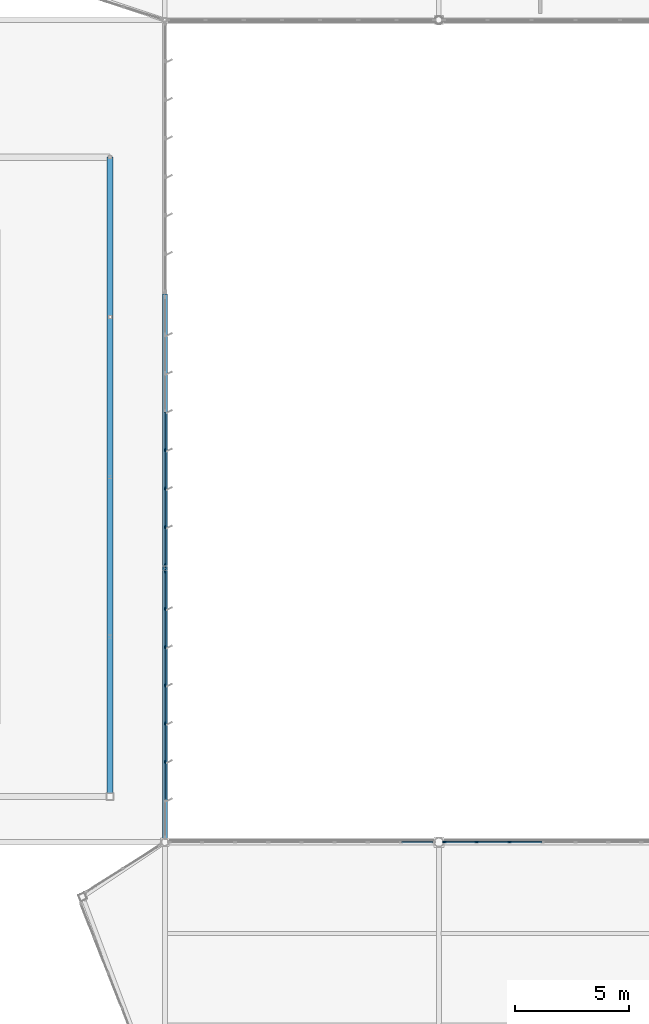
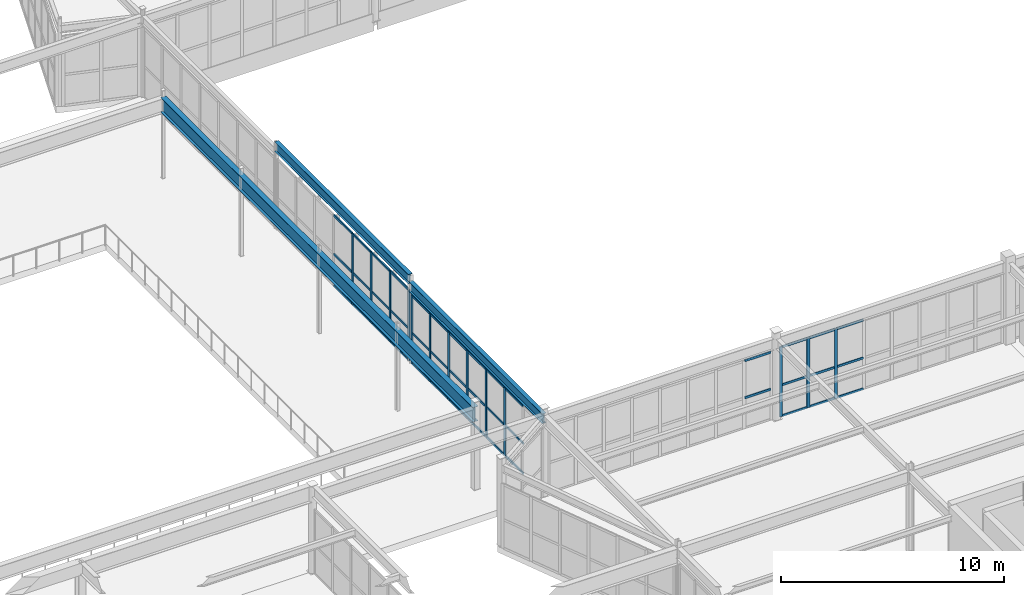
# One storey, part 94 of 186: 54 members, 3 beams, 4 elements without a shape of their own.
"""IFC4 building model written with IfcOpenShell, lengths in metres."""

from ifc_helpers import new_model, si_unit, direction, frame, origin, origin_2d, place, context, subcontext, project, spatial, rectangle, i_section, extrude, material, layer, layer_set, material_profile, profile_set, type_object, element, aggregate, save


model = new_model("IFC4")

# Units and contexts
model_context = context("Model", 3, precision=1e-05, world=origin(), true_north=direction((0.0, 1.0)))
body_context = subcontext(model_context, "Body", "Model", "MODEL_VIEW")
ifc_project = project(units=[si_unit("LENGTHUNIT", "METRE"), si_unit("AREAUNIT", "SQUARE_METRE"), si_unit("VOLUMEUNIT", "CUBIC_METRE"), si_unit("PLANEANGLEUNIT", "RADIAN"), si_unit("MASSUNIT", "GRAM", prefix="KILO")], contexts=[model_context])

# Site, building, storey
site_placement = place(None, origin())
site = spatial("IfcSite", under=ifc_project, at=site_placement, CompositionType="ELEMENT")
building_placement = place(site_placement, origin())
building = spatial("IfcBuilding", under=site, at=building_placement, Name="Tarnwether General Hospital", CompositionType="ELEMENT")
storey_placement = place(building_placement, frame((0.0, 0.0, 9.60009765625)))
storey = spatial("IfcBuildingStorey", under=building, at=storey_placement, Name="L02", CompositionType="ELEMENT", Elevation=9.60009765625)

# Beams
ifc_material_1 = material(Name="Steel Grade 350 (350 MPa)", Category="steel")
ifc_material_profile_1 = material_profile(ifc_material_1, i_section(OverallWidth=0.208984375, OverallDepth=0.532958984375, WebThickness=0.01025390625, FlangeThickness=0.015625, at=origin_2d()), Name="530UB92.4")
ifc_profile_set_1 = profile_set([ifc_material_profile_1], Name="Steel Grade 350 (350 MPa)")
beam_type_1 = type_object("IfcBeamType", Name="BM-G06", PredefinedType="BEAM", material=ifc_profile_set_1)
beam_1_placement = place(storey_placement, frame((144.0, 45.60009765625, 4.178466796875), z_axis=(0.0, 1.0, 0.0), x_axis=(-1.0, 0.0, 0.0)))
element("IfcBeam", 1, at=beam_1_placement, inside=storey, type_object=beam_type_1, Name="Primary Girder BMG-L02-14400_4560-14400_5760-1576", PredefinedType="BEAM", context=body_context, shape_type="SweptSolid", body=[
    extrude(i_section(OverallWidth=0.208984375, OverallDepth=0.532958984375, WebThickness=0.01025390625, FlangeThickness=0.015625, at=origin_2d()), origin(), (0.0, 0.0, 1.0), 12.0),
])
ifc_material_2 = material(Name="Steel Grade 350 (350 MPa)", Category="steel")
ifc_material_profile_2 = material_profile(ifc_material_2, i_section(OverallWidth=0.208984375, OverallDepth=0.528076171875, WebThickness=0.009521484375, FlangeThickness=0.01318359375, at=origin_2d()), Name="530UB82.0")
ifc_profile_set_2 = profile_set([ifc_material_profile_2], Name="Steel Grade 350 (350 MPa)")
beam_type_2 = type_object("IfcBeamType", Name="BM-G07", PredefinedType="BEAM", material=ifc_profile_set_2)
beam_2_placement = place(storey_placement, frame((144.0, 57.60009765625, 4.535888671875), z_axis=(0.0, 1.0, 0.0), x_axis=(-1.0, 0.0, 0.0)))
element("IfcBeam", 2, at=beam_2_placement, inside=storey, type_object=beam_type_2, Name="Primary Girder BMG-L02-14400_5760-14400_6960-1577", PredefinedType="BEAM", context=body_context, shape_type="SweptSolid", body=[
    extrude(i_section(OverallWidth=0.208984375, OverallDepth=0.528076171875, WebThickness=0.009521484375, FlangeThickness=0.01318359375, at=origin_2d()), origin(), (0.0, 0.0, 1.0), 12.0),
])
ifc_material_3 = material(Name="Steel Grade 350 (350 MPa)", Category="steel")
ifc_material_profile_3 = material_profile(ifc_material_3, i_section(OverallWidth=0.27490234375, OverallDepth=0.800048828125, WebThickness=0.010009765625, FlangeThickness=0.02001953125, at=origin_2d()), Name="800WB146")
ifc_profile_set_3 = profile_set([ifc_material_profile_3], Name="Steel Grade 350 (350 MPa)")
beam_type_3 = type_object("IfcBeamType", Name="BM-RB1", PredefinedType="BEAM", material=ifc_profile_set_3)
beam_3_placement = place(storey_placement, frame((141.60009765625, 47.60009765625, 4.02978515625), z_axis=(0.0, 1.0, 0.0), x_axis=(-1.0, 0.0, 0.0)))
element("IfcBeam", 3, at=beam_3_placement, inside=storey, type_object=beam_type_3, Name="Gridshell Ring Beam 2", PredefinedType="BEAM", context=body_context, shape_type="SweptSolid", body=[
    extrude(i_section(OverallWidth=0.27490234375, OverallDepth=0.800048828125, WebThickness=0.010009765625, FlangeThickness=0.02001953125, at=origin_2d()), origin(), (0.0, 0.0, 1.0), 28.0),
])

# Curtain wall, members
ifc_material_4 = material(Name="Anodised aluminium", Category="aluminium")
ifc_layer_1 = layer(ifc_material_4, 0.179931640625)
ifc_layer_set_1 = layer_set([ifc_layer_1], Name="Anodised aluminium")
curtain_wall_type_1 = type_object("IfcCurtainWallType", Name="CW-06", PredefinedType="NOTDEFINED", material=ifc_layer_set_1)
curtain_wall_1_placement = place(storey_placement, origin())
curtain_wall_1 = element("IfcCurtainWall", 4, at=curtain_wall_1_placement, inside=storey, type_object=curtain_wall_type_1, Name="Curtain Wall CWG-L02-1440_695-0417", PredefinedType="NOTDEFINED")
ifc_material_5 = material(Name="Anodised aluminium", Category="aluminium")
ifc_material_profile_4 = material_profile(ifc_material_5, rectangle(XDim=0.06005859375, YDim=0.159912109375, at=origin_2d()), Name="ALU-MUL-60x160")
ifc_profile_set_4 = profile_set([ifc_material_profile_4], Name="Anodised aluminium")
member_type_1 = type_object("IfcMemberType", Name="CW-ML1", PredefinedType="MULLION", material=ifc_profile_set_4)
member_1_placement = place(storey_placement, frame((144.0, 62.767578125, 0.0), z_axis=(0.0, 0.0, 1.0), x_axis=(1.0, 0.0, 0.0)))
member_1 = element("IfcMember", 5, at=member_1_placement, type_object=member_type_1, Name="CW-06 mullion 5", PredefinedType="MULLION", context=body_context, shape_type="SweptSolid", body=[
    extrude(rectangle(XDim=0.06005859375, YDim=0.159912109375, at=origin_2d()), origin(), (0.0, 0.0, 1.0), 3.89697265625),
])
member_2_placement = place(storey_placement, frame((144.0, 61.081787109375, 0.0), z_axis=(0.0, 0.0, 1.0), x_axis=(1.0, 0.0, 0.0)))
member_2 = element("IfcMember", 6, at=member_2_placement, type_object=member_type_1, Name="CW-06 mullion 6", PredefinedType="MULLION", context=body_context, shape_type="SweptSolid", body=[
    extrude(rectangle(XDim=0.06005859375, YDim=0.159912109375, at=origin_2d()), origin(), (0.0, 0.0, 1.0), 3.89697265625),
])
member_3_placement = place(storey_placement, frame((144.0, 59.395751953125, 0.0), z_axis=(0.0, 0.0, 1.0), x_axis=(1.0, 0.0, 0.0)))
member_3 = element("IfcMember", 7, at=member_3_placement, type_object=member_type_1, Name="CW-06 mullion 7", PredefinedType="MULLION", context=body_context, shape_type="SweptSolid", body=[
    extrude(rectangle(XDim=0.06005859375, YDim=0.159912109375, at=origin_2d()), origin(), (0.0, 0.0, 1.0), 3.89697265625),
])
member_4_placement = place(storey_placement, frame((144.0, 57.739990234375, 0.0), z_axis=(0.0, 0.0, 1.0), x_axis=(1.0, 0.0, 0.0)))
member_4 = element("IfcMember", 8, at=member_4_placement, type_object=member_type_1, Name="CW-06 mullion 8", PredefinedType="MULLION", context=body_context, shape_type="SweptSolid", body=[
    extrude(rectangle(XDim=0.06005859375, YDim=0.159912109375, at=origin_2d()), origin(), (0.0, 0.0, 1.0), 3.89697265625),
])

curtain_wall_2_placement = place(storey_placement, origin())
curtain_wall_2 = element("IfcCurtainWall", 9, at=curtain_wall_2_placement, inside=storey, type_object=curtain_wall_type_1, Name="Curtain Wall CWG-L02-1440_575-0418", PredefinedType="NOTDEFINED")
member_5_placement = place(storey_placement, frame((144.0, 57.4599609375, 0.0), z_axis=(0.0, 0.0, 1.0), x_axis=(1.0, 0.0, 0.0)))
member_5 = element("IfcMember", 10, at=member_5_placement, type_object=member_type_1, Name="CW-06 mullion 1", PredefinedType="MULLION", context=body_context, shape_type="SweptSolid", body=[
    extrude(rectangle(XDim=0.06005859375, YDim=0.159912109375, at=origin_2d()), origin(), (0.0, 0.0, 1.0), 3.73779296875),
])
member_6_placement = place(storey_placement, frame((144.0, 55.815673828125, 0.0), z_axis=(0.0, 0.0, 1.0), x_axis=(1.0, 0.0, 0.0)))
member_6 = element("IfcMember", 11, at=member_6_placement, type_object=member_type_1, Name="CW-06 mullion 2", PredefinedType="MULLION", context=body_context, shape_type="SweptSolid", body=[
    extrude(rectangle(XDim=0.06005859375, YDim=0.159912109375, at=origin_2d()), origin(), (0.0, 0.0, 1.0), 3.73779296875),
])
member_7_placement = place(storey_placement, frame((144.0, 54.141357421875, 0.0), z_axis=(0.0, 0.0, 1.0), x_axis=(1.0, 0.0, 0.0)))
member_7 = element("IfcMember", 12, at=member_7_placement, type_object=member_type_1, Name="CW-06 mullion 3", PredefinedType="MULLION", context=body_context, shape_type="SweptSolid", body=[
    extrude(rectangle(XDim=0.06005859375, YDim=0.159912109375, at=origin_2d()), origin(), (0.0, 0.0, 1.0), 3.73779296875),
])
member_8_placement = place(storey_placement, frame((144.0, 52.467041015625, 0.0), z_axis=(0.0, 0.0, 1.0), x_axis=(1.0, 0.0, 0.0)))
member_8 = element("IfcMember", 13, at=member_8_placement, type_object=member_type_1, Name="CW-06 mullion 4", PredefinedType="MULLION", context=body_context, shape_type="SweptSolid", body=[
    extrude(rectangle(XDim=0.06005859375, YDim=0.159912109375, at=origin_2d()), origin(), (0.0, 0.0, 1.0), 3.73779296875),
])
member_9_placement = place(storey_placement, frame((144.0, 50.79296875, 0.0), z_axis=(0.0, 0.0, 1.0), x_axis=(1.0, 0.0, 0.0)))
member_9 = element("IfcMember", 14, at=member_9_placement, type_object=member_type_1, Name="CW-06 mullion 5", PredefinedType="MULLION", context=body_context, shape_type="SweptSolid", body=[
    extrude(rectangle(XDim=0.06005859375, YDim=0.159912109375, at=origin_2d()), origin(), (0.0, 0.0, 1.0), 3.73779296875),
])
member_10_placement = place(storey_placement, frame((144.0, 49.11865234375, 0.0), z_axis=(0.0, 0.0, 1.0), x_axis=(1.0, 0.0, 0.0)))
member_10 = element("IfcMember", 15, at=member_10_placement, type_object=member_type_1, Name="CW-06 mullion 6", PredefinedType="MULLION", context=body_context, shape_type="SweptSolid", body=[
    extrude(rectangle(XDim=0.06005859375, YDim=0.159912109375, at=origin_2d()), origin(), (0.0, 0.0, 1.0), 3.73779296875),
])

ifc_material_6 = material(Name="Anodised aluminium", Category="aluminium")
ifc_layer_2 = layer(ifc_material_6, 0.159912109375)
ifc_layer_set_2 = layer_set([ifc_layer_2], Name="Anodised aluminium")
curtain_wall_type_2 = type_object("IfcCurtainWallType", Name="CW-18", PredefinedType="NOTDEFINED", material=ifc_layer_set_2)
curtain_wall_3_placement = place(storey_placement, origin())
curtain_wall_3 = element("IfcCurtainWall", 16, at=curtain_wall_3_placement, inside=storey, type_object=curtain_wall_type_2, Name="Curtain Wall CWG-L02-1562_456-0453", PredefinedType="NOTDEFINED")
member_11_placement = place(storey_placement, frame((156.240966796875, 45.60009765625, 0.0), z_axis=(0.0, 0.0, 1.0), x_axis=(0.0, 1.0, 0.0)))
member_11 = element("IfcMember", 17, at=member_11_placement, type_object=member_type_1, Name="CW-18 mullion 1", PredefinedType="MULLION", context=body_context, shape_type="SweptSolid", body=[
    extrude(rectangle(XDim=0.06005859375, YDim=0.159912109375, at=origin_2d()), origin(), (0.0, 0.0, 1.0), 3.81787109375),
])
member_12_placement = place(storey_placement, frame((157.65234375, 45.60009765625, 0.0), z_axis=(0.0, 0.0, 1.0), x_axis=(0.0, 1.0, 0.0)))
member_12 = element("IfcMember", 18, at=member_12_placement, type_object=member_type_1, Name="CW-18 mullion 2", PredefinedType="MULLION", context=body_context, shape_type="SweptSolid", body=[
    extrude(rectangle(XDim=0.06005859375, YDim=0.159912109375, at=origin_2d()), origin(), (0.0, 0.0, 1.0), 3.81787109375),
])
member_13_placement = place(storey_placement, frame((159.09375, 45.60009765625, 0.0), z_axis=(0.0, 0.0, 1.0), x_axis=(0.0, 1.0, 0.0)))
member_13 = element("IfcMember", 19, at=member_13_placement, type_object=member_type_1, Name="CW-18 mullion 3", PredefinedType="MULLION", context=body_context, shape_type="SweptSolid", body=[
    extrude(rectangle(XDim=0.06005859375, YDim=0.159912109375, at=origin_2d()), origin(), (0.0, 0.0, 1.0), 3.81787109375),
])

# Member
ifc_material_7 = material(Name="Anodised aluminium", Category="aluminium")
ifc_material_profile_5 = material_profile(ifc_material_7, rectangle(XDim=0.06005859375, YDim=0.1201171875, at=origin_2d()), Name="ALU-TRN-60x120")
ifc_profile_set_5 = profile_set([ifc_material_profile_5], Name="Anodised aluminium")
member_type_2 = type_object("IfcMemberType", Name="CW-TR1", PredefinedType="USERDEFINED", material=ifc_profile_set_5)
member_14_placement = place(storey_placement, frame((144.0, 64.42333984375, 0.02978515625), z_axis=(0.0, -1.0, 0.0), x_axis=(1.0, 0.0, 0.0)))
member_14 = element("IfcMember", 20, at=member_14_placement, type_object=member_type_2, Name="CW-06 transom 4.1", ObjectType="TRANSOM", PredefinedType="USERDEFINED", context=body_context, shape_type="SweptSolid", body=[
    extrude(rectangle(XDim=0.06005859375, YDim=0.1201171875, at=origin_2d()), origin(), (0.0, 0.0, 1.0), 1.625732421875),
])

member_15_placement = place(storey_placement, frame((144.0, 64.42333984375, 1.753662109375), z_axis=(0.0, -1.0, 0.0), x_axis=(1.0, 0.0, 0.0)))
member_15 = element("IfcMember", 21, at=member_15_placement, type_object=member_type_2, Name="CW-06 transom 4.2", ObjectType="TRANSOM", PredefinedType="USERDEFINED", context=body_context, shape_type="SweptSolid", body=[
    extrude(rectangle(XDim=0.06005859375, YDim=0.1201171875, at=origin_2d()), origin(), (0.0, 0.0, 1.0), 1.625732421875),
])

member_16_placement = place(storey_placement, frame((144.0, 64.42333984375, 3.866943359375), z_axis=(0.0, -1.0, 0.0), x_axis=(1.0, 0.0, 0.0)))
member_16 = element("IfcMember", 22, at=member_16_placement, type_object=member_type_2, Name="CW-06 transom 4.3", ObjectType="TRANSOM", PredefinedType="USERDEFINED", context=body_context, shape_type="SweptSolid", body=[
    extrude(rectangle(XDim=0.06005859375, YDim=0.1201171875, at=origin_2d()), origin(), (0.0, 0.0, 1.0), 1.625732421875),
])

member_17_placement = place(storey_placement, frame((144.0, 62.737548828125, 0.02978515625), z_axis=(0.0, -1.0, 0.0), x_axis=(1.0, 0.0, 0.0)))
member_17 = element("IfcMember", 23, at=member_17_placement, type_object=member_type_2, Name="CW-06 transom 5.1", ObjectType="TRANSOM", PredefinedType="USERDEFINED", context=body_context, shape_type="SweptSolid", body=[
    extrude(rectangle(XDim=0.06005859375, YDim=0.1201171875, at=origin_2d()), origin(), (0.0, 0.0, 1.0), 1.625732421875),
])

member_18_placement = place(storey_placement, frame((144.0, 62.737548828125, 1.753662109375), z_axis=(0.0, -1.0, 0.0), x_axis=(1.0, 0.0, 0.0)))
member_18 = element("IfcMember", 24, at=member_18_placement, type_object=member_type_2, Name="CW-06 transom 5.2", ObjectType="TRANSOM", PredefinedType="USERDEFINED", context=body_context, shape_type="SweptSolid", body=[
    extrude(rectangle(XDim=0.06005859375, YDim=0.1201171875, at=origin_2d()), origin(), (0.0, 0.0, 1.0), 1.625732421875),
])

member_19_placement = place(storey_placement, frame((144.0, 62.737548828125, 3.866943359375), z_axis=(0.0, -1.0, 0.0), x_axis=(1.0, 0.0, 0.0)))
member_19 = element("IfcMember", 25, at=member_19_placement, type_object=member_type_2, Name="CW-06 transom 5.3", ObjectType="TRANSOM", PredefinedType="USERDEFINED", context=body_context, shape_type="SweptSolid", body=[
    extrude(rectangle(XDim=0.06005859375, YDim=0.1201171875, at=origin_2d()), origin(), (0.0, 0.0, 1.0), 1.625732421875),
])

member_20_placement = place(storey_placement, frame((144.0, 61.0517578125, 0.02978515625), z_axis=(0.0, -1.0, 0.0), x_axis=(1.0, 0.0, 0.0)))
member_20 = element("IfcMember", 26, at=member_20_placement, type_object=member_type_2, Name="CW-06 transom 6.1", ObjectType="TRANSOM", PredefinedType="USERDEFINED", context=body_context, shape_type="SweptSolid", body=[
    extrude(rectangle(XDim=0.06005859375, YDim=0.1201171875, at=origin_2d()), origin(), (0.0, 0.0, 1.0), 1.6259765625),
])

member_21_placement = place(storey_placement, frame((144.0, 61.0517578125, 1.753662109375), z_axis=(0.0, -1.0, 0.0), x_axis=(1.0, 0.0, 0.0)))
member_21 = element("IfcMember", 27, at=member_21_placement, type_object=member_type_2, Name="CW-06 transom 6.2", ObjectType="TRANSOM", PredefinedType="USERDEFINED", context=body_context, shape_type="SweptSolid", body=[
    extrude(rectangle(XDim=0.06005859375, YDim=0.1201171875, at=origin_2d()), origin(), (0.0, 0.0, 1.0), 1.6259765625),
])

member_22_placement = place(storey_placement, frame((144.0, 61.0517578125, 3.866943359375), z_axis=(0.0, -1.0, 0.0), x_axis=(1.0, 0.0, 0.0)))
member_22 = element("IfcMember", 28, at=member_22_placement, type_object=member_type_2, Name="CW-06 transom 6.3", ObjectType="TRANSOM", PredefinedType="USERDEFINED", context=body_context, shape_type="SweptSolid", body=[
    extrude(rectangle(XDim=0.06005859375, YDim=0.1201171875, at=origin_2d()), origin(), (0.0, 0.0, 1.0), 1.6259765625),
])

member_23_placement = place(storey_placement, frame((144.0, 59.365966796875, 0.02978515625), z_axis=(0.0, -1.0, 0.0), x_axis=(1.0, 0.0, 0.0)))
member_23 = element("IfcMember", 29, at=member_23_placement, type_object=member_type_2, Name="CW-06 transom 7.1", ObjectType="TRANSOM", PredefinedType="USERDEFINED", context=body_context, shape_type="SweptSolid", body=[
    extrude(rectangle(XDim=0.06005859375, YDim=0.1201171875, at=origin_2d()), origin(), (0.0, 0.0, 1.0), 1.595947265625),
])

member_24_placement = place(storey_placement, frame((144.0, 59.365966796875, 1.753662109375), z_axis=(0.0, -1.0, 0.0), x_axis=(1.0, 0.0, 0.0)))
member_24 = element("IfcMember", 30, at=member_24_placement, type_object=member_type_2, Name="CW-06 transom 7.2", ObjectType="TRANSOM", PredefinedType="USERDEFINED", context=body_context, shape_type="SweptSolid", body=[
    extrude(rectangle(XDim=0.06005859375, YDim=0.1201171875, at=origin_2d()), origin(), (0.0, 0.0, 1.0), 1.595947265625),
])

member_25_placement = place(storey_placement, frame((144.0, 59.365966796875, 3.866943359375), z_axis=(0.0, -1.0, 0.0), x_axis=(1.0, 0.0, 0.0)))
member_25 = element("IfcMember", 31, at=member_25_placement, type_object=member_type_2, Name="CW-06 transom 7.3", ObjectType="TRANSOM", PredefinedType="USERDEFINED", context=body_context, shape_type="SweptSolid", body=[
    extrude(rectangle(XDim=0.06005859375, YDim=0.1201171875, at=origin_2d()), origin(), (0.0, 0.0, 1.0), 1.595947265625),
])

aggregate(curtain_wall_1, [member_1, member_2, member_3, member_4, member_14, member_15, member_16, member_17, member_18, member_19, member_20, member_21, member_22, member_23, member_24, member_25])

member_26_placement = place(storey_placement, frame((144.0, 57.429931640625, 0.02978515625), z_axis=(0.0, -1.0, 0.0), x_axis=(1.0, 0.0, 0.0)))
member_26 = element("IfcMember", 32, at=member_26_placement, type_object=member_type_2, Name="CW-06 transom 1.1", ObjectType="TRANSOM", PredefinedType="USERDEFINED", context=body_context, shape_type="SweptSolid", body=[
    extrude(rectangle(XDim=0.06005859375, YDim=0.1201171875, at=origin_2d()), origin(), (0.0, 0.0, 1.0), 1.584228515625),
])

member_27_placement = place(storey_placement, frame((144.0, 57.429931640625, 1.681884765625), z_axis=(0.0, -1.0, 0.0), x_axis=(1.0, 0.0, 0.0)))
member_27 = element("IfcMember", 33, at=member_27_placement, type_object=member_type_2, Name="CW-06 transom 1.2", ObjectType="TRANSOM", PredefinedType="USERDEFINED", context=body_context, shape_type="SweptSolid", body=[
    extrude(rectangle(XDim=0.06005859375, YDim=0.1201171875, at=origin_2d()), origin(), (0.0, 0.0, 1.0), 1.584228515625),
])

member_28_placement = place(storey_placement, frame((144.0, 57.429931640625, 3.7080078125), z_axis=(0.0, -1.0, 0.0), x_axis=(1.0, 0.0, 0.0)))
member_28 = element("IfcMember", 34, at=member_28_placement, type_object=member_type_2, Name="CW-06 transom 1.3", ObjectType="TRANSOM", PredefinedType="USERDEFINED", context=body_context, shape_type="SweptSolid", body=[
    extrude(rectangle(XDim=0.06005859375, YDim=0.1201171875, at=origin_2d()), origin(), (0.0, 0.0, 1.0), 1.584228515625),
])

member_29_placement = place(storey_placement, frame((144.0, 55.78564453125, 0.02978515625), z_axis=(0.0, -1.0, 0.0), x_axis=(1.0, 0.0, 0.0)))
member_29 = element("IfcMember", 35, at=member_29_placement, type_object=member_type_2, Name="CW-06 transom 2.1", ObjectType="TRANSOM", PredefinedType="USERDEFINED", context=body_context, shape_type="SweptSolid", body=[
    extrude(rectangle(XDim=0.06005859375, YDim=0.1201171875, at=origin_2d()), origin(), (0.0, 0.0, 1.0), 1.6142578125),
])

member_30_placement = place(storey_placement, frame((144.0, 55.78564453125, 1.681884765625), z_axis=(0.0, -1.0, 0.0), x_axis=(1.0, 0.0, 0.0)))
member_30 = element("IfcMember", 36, at=member_30_placement, type_object=member_type_2, Name="CW-06 transom 2.2", ObjectType="TRANSOM", PredefinedType="USERDEFINED", context=body_context, shape_type="SweptSolid", body=[
    extrude(rectangle(XDim=0.06005859375, YDim=0.1201171875, at=origin_2d()), origin(), (0.0, 0.0, 1.0), 1.6142578125),
])

member_31_placement = place(storey_placement, frame((144.0, 55.78564453125, 3.7080078125), z_axis=(0.0, -1.0, 0.0), x_axis=(1.0, 0.0, 0.0)))
member_31 = element("IfcMember", 37, at=member_31_placement, type_object=member_type_2, Name="CW-06 transom 2.3", ObjectType="TRANSOM", PredefinedType="USERDEFINED", context=body_context, shape_type="SweptSolid", body=[
    extrude(rectangle(XDim=0.06005859375, YDim=0.1201171875, at=origin_2d()), origin(), (0.0, 0.0, 1.0), 1.6142578125),
])

member_32_placement = place(storey_placement, frame((144.0, 54.111328125, 0.02978515625), z_axis=(0.0, -1.0, 0.0), x_axis=(1.0, 0.0, 0.0)))
member_32 = element("IfcMember", 38, at=member_32_placement, type_object=member_type_2, Name="CW-06 transom 3.1", ObjectType="TRANSOM", PredefinedType="USERDEFINED", context=body_context, shape_type="SweptSolid", body=[
    extrude(rectangle(XDim=0.06005859375, YDim=0.1201171875, at=origin_2d()), origin(), (0.0, 0.0, 1.0), 1.6142578125),
])

member_33_placement = place(storey_placement, frame((144.0, 54.111328125, 1.681884765625), z_axis=(0.0, -1.0, 0.0), x_axis=(1.0, 0.0, 0.0)))
member_33 = element("IfcMember", 39, at=member_33_placement, type_object=member_type_2, Name="CW-06 transom 3.2", ObjectType="TRANSOM", PredefinedType="USERDEFINED", context=body_context, shape_type="SweptSolid", body=[
    extrude(rectangle(XDim=0.06005859375, YDim=0.1201171875, at=origin_2d()), origin(), (0.0, 0.0, 1.0), 1.6142578125),
])

member_34_placement = place(storey_placement, frame((144.0, 54.111328125, 3.7080078125), z_axis=(0.0, -1.0, 0.0), x_axis=(1.0, 0.0, 0.0)))
member_34 = element("IfcMember", 40, at=member_34_placement, type_object=member_type_2, Name="CW-06 transom 3.3", ObjectType="TRANSOM", PredefinedType="USERDEFINED", context=body_context, shape_type="SweptSolid", body=[
    extrude(rectangle(XDim=0.06005859375, YDim=0.1201171875, at=origin_2d()), origin(), (0.0, 0.0, 1.0), 1.6142578125),
])

member_35_placement = place(storey_placement, frame((144.0, 52.437255859375, 0.02978515625), z_axis=(0.0, -1.0, 0.0), x_axis=(1.0, 0.0, 0.0)))
member_35 = element("IfcMember", 41, at=member_35_placement, type_object=member_type_2, Name="CW-06 transom 4.1", ObjectType="TRANSOM", PredefinedType="USERDEFINED", context=body_context, shape_type="SweptSolid", body=[
    extrude(rectangle(XDim=0.06005859375, YDim=0.1201171875, at=origin_2d()), origin(), (0.0, 0.0, 1.0), 1.614501953125),
])

member_36_placement = place(storey_placement, frame((144.0, 52.437255859375, 1.681884765625), z_axis=(0.0, -1.0, 0.0), x_axis=(1.0, 0.0, 0.0)))
member_36 = element("IfcMember", 42, at=member_36_placement, type_object=member_type_2, Name="CW-06 transom 4.2", ObjectType="TRANSOM", PredefinedType="USERDEFINED", context=body_context, shape_type="SweptSolid", body=[
    extrude(rectangle(XDim=0.06005859375, YDim=0.1201171875, at=origin_2d()), origin(), (0.0, 0.0, 1.0), 1.614501953125),
])

member_37_placement = place(storey_placement, frame((144.0, 52.437255859375, 3.7080078125), z_axis=(0.0, -1.0, 0.0), x_axis=(1.0, 0.0, 0.0)))
member_37 = element("IfcMember", 43, at=member_37_placement, type_object=member_type_2, Name="CW-06 transom 4.3", ObjectType="TRANSOM", PredefinedType="USERDEFINED", context=body_context, shape_type="SweptSolid", body=[
    extrude(rectangle(XDim=0.06005859375, YDim=0.1201171875, at=origin_2d()), origin(), (0.0, 0.0, 1.0), 1.614501953125),
])

member_38_placement = place(storey_placement, frame((144.0, 50.762939453125, 0.02978515625), z_axis=(0.0, -1.0, 0.0), x_axis=(1.0, 0.0, 0.0)))
member_38 = element("IfcMember", 44, at=member_38_placement, type_object=member_type_2, Name="CW-06 transom 5.1", ObjectType="TRANSOM", PredefinedType="USERDEFINED", context=body_context, shape_type="SweptSolid", body=[
    extrude(rectangle(XDim=0.06005859375, YDim=0.1201171875, at=origin_2d()), origin(), (0.0, 0.0, 1.0), 1.6142578125),
])

member_39_placement = place(storey_placement, frame((144.0, 50.762939453125, 1.681884765625), z_axis=(0.0, -1.0, 0.0), x_axis=(1.0, 0.0, 0.0)))
member_39 = element("IfcMember", 45, at=member_39_placement, type_object=member_type_2, Name="CW-06 transom 5.2", ObjectType="TRANSOM", PredefinedType="USERDEFINED", context=body_context, shape_type="SweptSolid", body=[
    extrude(rectangle(XDim=0.06005859375, YDim=0.1201171875, at=origin_2d()), origin(), (0.0, 0.0, 1.0), 1.6142578125),
])

member_40_placement = place(storey_placement, frame((144.0, 50.762939453125, 3.7080078125), z_axis=(0.0, -1.0, 0.0), x_axis=(1.0, 0.0, 0.0)))
member_40 = element("IfcMember", 46, at=member_40_placement, type_object=member_type_2, Name="CW-06 transom 5.3", ObjectType="TRANSOM", PredefinedType="USERDEFINED", context=body_context, shape_type="SweptSolid", body=[
    extrude(rectangle(XDim=0.06005859375, YDim=0.1201171875, at=origin_2d()), origin(), (0.0, 0.0, 1.0), 1.6142578125),
])

member_41_placement = place(storey_placement, frame((144.0, 49.088623046875, 0.02978515625), z_axis=(0.0, -1.0, 0.0), x_axis=(1.0, 0.0, 0.0)))
member_41 = element("IfcMember", 47, at=member_41_placement, type_object=member_type_2, Name="CW-06 transom 6.1", ObjectType="TRANSOM", PredefinedType="USERDEFINED", context=body_context, shape_type="SweptSolid", body=[
    extrude(rectangle(XDim=0.06005859375, YDim=0.1201171875, at=origin_2d()), origin(), (0.0, 0.0, 1.0), 1.6142578125),
])

member_42_placement = place(storey_placement, frame((144.0, 49.088623046875, 1.681884765625), z_axis=(0.0, -1.0, 0.0), x_axis=(1.0, 0.0, 0.0)))
member_42 = element("IfcMember", 48, at=member_42_placement, type_object=member_type_2, Name="CW-06 transom 6.2", ObjectType="TRANSOM", PredefinedType="USERDEFINED", context=body_context, shape_type="SweptSolid", body=[
    extrude(rectangle(XDim=0.06005859375, YDim=0.1201171875, at=origin_2d()), origin(), (0.0, 0.0, 1.0), 1.6142578125),
])

member_43_placement = place(storey_placement, frame((144.0, 49.088623046875, 3.7080078125), z_axis=(0.0, -1.0, 0.0), x_axis=(1.0, 0.0, 0.0)))
member_43 = element("IfcMember", 49, at=member_43_placement, type_object=member_type_2, Name="CW-06 transom 6.3", ObjectType="TRANSOM", PredefinedType="USERDEFINED", context=body_context, shape_type="SweptSolid", body=[
    extrude(rectangle(XDim=0.06005859375, YDim=0.1201171875, at=origin_2d()), origin(), (0.0, 0.0, 1.0), 1.6142578125),
])

aggregate(curtain_wall_2, [member_5, member_6, member_7, member_8, member_9, member_10, member_26, member_27, member_28, member_29, member_30, member_31, member_32, member_33, member_34, member_35, member_36, member_37, member_38, member_39, member_40, member_41, member_42, member_43])

# Curtain wall, members
curtain_wall_4_placement = place(storey_placement, origin())
curtain_wall_4 = element("IfcCurtainWall", 50, at=curtain_wall_4_placement, inside=storey, type_object=curtain_wall_type_2, Name="Curtain Wall CWG-L02-1442_456-0452", PredefinedType="NOTDEFINED")
member_44_placement = place(storey_placement, frame((154.36669921875, 45.60009765625, 1.681884765625), z_axis=(1.0, 0.0, 0.0), x_axis=(0.0, 1.0, 0.0)))
member_44 = element("IfcMember", 51, at=member_44_placement, type_object=member_type_2, Name="CW-18 transom 8.2", ObjectType="TRANSOM", PredefinedType="USERDEFINED", context=body_context, shape_type="SweptSolid", body=[
    extrude(rectangle(XDim=0.06005859375, YDim=0.1201171875, at=origin_2d()), origin(), (0.0, 0.0, 1.0), 1.3623046875),
])
member_45_placement = place(storey_placement, frame((154.36669921875, 45.60009765625, 3.7080078125), z_axis=(1.0, 0.0, 0.0), x_axis=(0.0, 1.0, 0.0)))
member_45 = element("IfcMember", 52, at=member_45_placement, type_object=member_type_2, Name="CW-18 transom 8.3", ObjectType="TRANSOM", PredefinedType="USERDEFINED", context=body_context, shape_type="SweptSolid", body=[
    extrude(rectangle(XDim=0.06005859375, YDim=0.1201171875, at=origin_2d()), origin(), (0.0, 0.0, 1.0), 1.3623046875),
])
aggregate(curtain_wall_4, [member_44, member_45])

# Member
member_46_placement = place(storey_placement, frame((156.27099609375, 45.60009765625, 0.02978515625), z_axis=(1.0, 0.0, 0.0), x_axis=(0.0, 1.0, 0.0)))
member_46 = element("IfcMember", 53, at=member_46_placement, type_object=member_type_2, Name="CW-18 transom 1.1", ObjectType="TRANSOM", PredefinedType="USERDEFINED", context=body_context, shape_type="SweptSolid", body=[
    extrude(rectangle(XDim=0.06005859375, YDim=0.1201171875, at=origin_2d()), origin(), (0.0, 0.0, 1.0), 1.351318359375),
])

member_47_placement = place(storey_placement, frame((156.27099609375, 45.60009765625, 1.718017578125), z_axis=(1.0, 0.0, 0.0), x_axis=(0.0, 1.0, 0.0)))
member_47 = element("IfcMember", 54, at=member_47_placement, type_object=member_type_2, Name="CW-18 transom 1.2", ObjectType="TRANSOM", PredefinedType="USERDEFINED", context=body_context, shape_type="SweptSolid", body=[
    extrude(rectangle(XDim=0.06005859375, YDim=0.1201171875, at=origin_2d()), origin(), (0.0, 0.0, 1.0), 1.351318359375),
])

member_48_placement = place(storey_placement, frame((156.27099609375, 45.60009765625, 3.787841796875), z_axis=(1.0, 0.0, 0.0), x_axis=(0.0, 1.0, 0.0)))
member_48 = element("IfcMember", 55, at=member_48_placement, type_object=member_type_2, Name="CW-18 transom 1.3", ObjectType="TRANSOM", PredefinedType="USERDEFINED", context=body_context, shape_type="SweptSolid", body=[
    extrude(rectangle(XDim=0.06005859375, YDim=0.1201171875, at=origin_2d()), origin(), (0.0, 0.0, 1.0), 1.351318359375),
])

member_49_placement = place(storey_placement, frame((157.682373046875, 45.60009765625, 0.02978515625), z_axis=(1.0, 0.0, 0.0), x_axis=(0.0, 1.0, 0.0)))
member_49 = element("IfcMember", 56, at=member_49_placement, type_object=member_type_2, Name="CW-18 transom 2.1", ObjectType="TRANSOM", PredefinedType="USERDEFINED", context=body_context, shape_type="SweptSolid", body=[
    extrude(rectangle(XDim=0.06005859375, YDim=0.1201171875, at=origin_2d()), origin(), (0.0, 0.0, 1.0), 1.38134765625),
])

member_50_placement = place(storey_placement, frame((157.682373046875, 45.60009765625, 1.718017578125), z_axis=(1.0, 0.0, 0.0), x_axis=(0.0, 1.0, 0.0)))
member_50 = element("IfcMember", 57, at=member_50_placement, type_object=member_type_2, Name="CW-18 transom 2.2", ObjectType="TRANSOM", PredefinedType="USERDEFINED", context=body_context, shape_type="SweptSolid", body=[
    extrude(rectangle(XDim=0.06005859375, YDim=0.1201171875, at=origin_2d()), origin(), (0.0, 0.0, 1.0), 1.38134765625),
])

member_51_placement = place(storey_placement, frame((157.682373046875, 45.60009765625, 3.787841796875), z_axis=(1.0, 0.0, 0.0), x_axis=(0.0, 1.0, 0.0)))
member_51 = element("IfcMember", 58, at=member_51_placement, type_object=member_type_2, Name="CW-18 transom 2.3", ObjectType="TRANSOM", PredefinedType="USERDEFINED", context=body_context, shape_type="SweptSolid", body=[
    extrude(rectangle(XDim=0.06005859375, YDim=0.1201171875, at=origin_2d()), origin(), (0.0, 0.0, 1.0), 1.38134765625),
])

member_52_placement = place(storey_placement, frame((159.123779296875, 45.60009765625, 0.02978515625), z_axis=(1.0, 0.0, 0.0), x_axis=(0.0, 1.0, 0.0)))
member_52 = element("IfcMember", 59, at=member_52_placement, type_object=member_type_2, Name="CW-18 transom 3.1", ObjectType="TRANSOM", PredefinedType="USERDEFINED", context=body_context, shape_type="SweptSolid", body=[
    extrude(rectangle(XDim=0.06005859375, YDim=0.1201171875, at=origin_2d()), origin(), (0.0, 0.0, 1.0), 1.38134765625),
])

member_53_placement = place(storey_placement, frame((159.123779296875, 45.60009765625, 1.718017578125), z_axis=(1.0, 0.0, 0.0), x_axis=(0.0, 1.0, 0.0)))
member_53 = element("IfcMember", 60, at=member_53_placement, type_object=member_type_2, Name="CW-18 transom 3.2", ObjectType="TRANSOM", PredefinedType="USERDEFINED", context=body_context, shape_type="SweptSolid", body=[
    extrude(rectangle(XDim=0.06005859375, YDim=0.1201171875, at=origin_2d()), origin(), (0.0, 0.0, 1.0), 1.38134765625),
])

member_54_placement = place(storey_placement, frame((159.123779296875, 45.60009765625, 3.787841796875), z_axis=(1.0, 0.0, 0.0), x_axis=(0.0, 1.0, 0.0)))
member_54 = element("IfcMember", 61, at=member_54_placement, type_object=member_type_2, Name="CW-18 transom 3.3", ObjectType="TRANSOM", PredefinedType="USERDEFINED", context=body_context, shape_type="SweptSolid", body=[
    extrude(rectangle(XDim=0.06005859375, YDim=0.1201171875, at=origin_2d()), origin(), (0.0, 0.0, 1.0), 1.38134765625),
])

aggregate(curtain_wall_3, [member_11, member_12, member_13, member_46, member_47, member_48, member_49, member_50, member_51, member_52, member_53, member_54])

save(model, "model.ifc")
